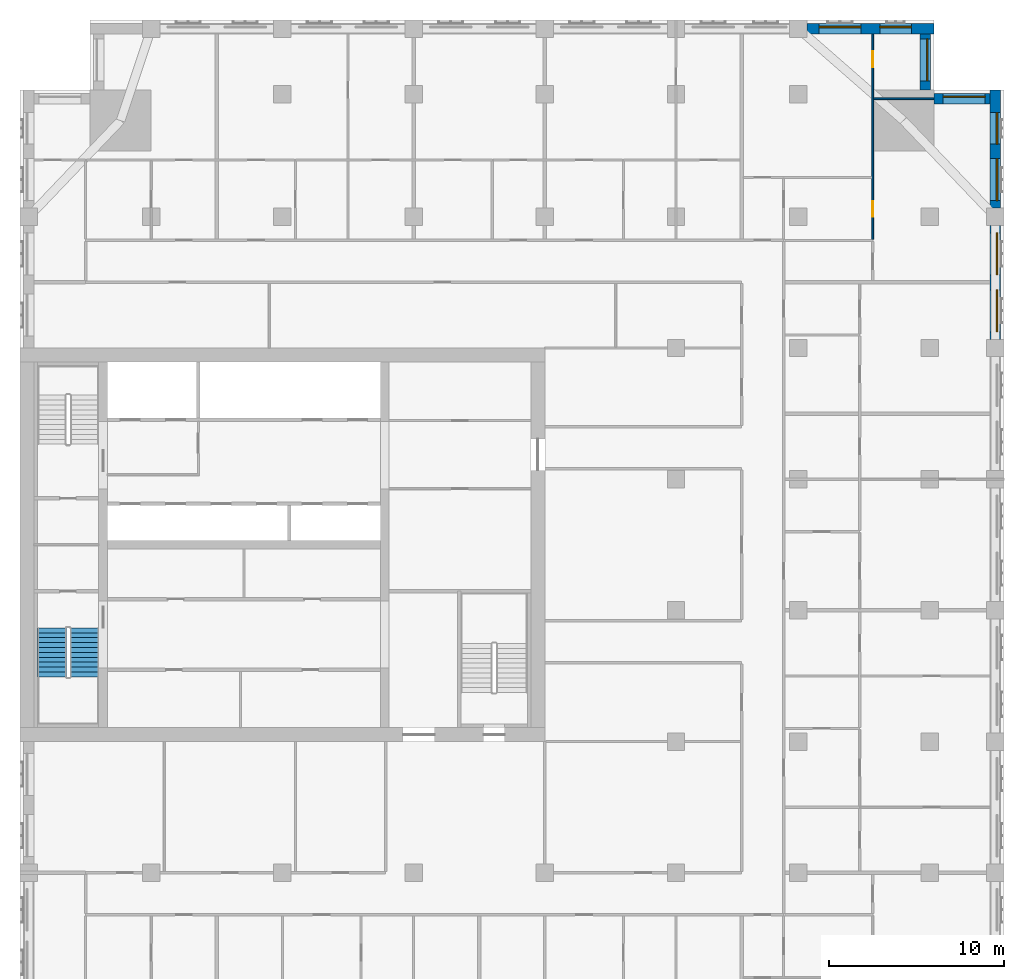
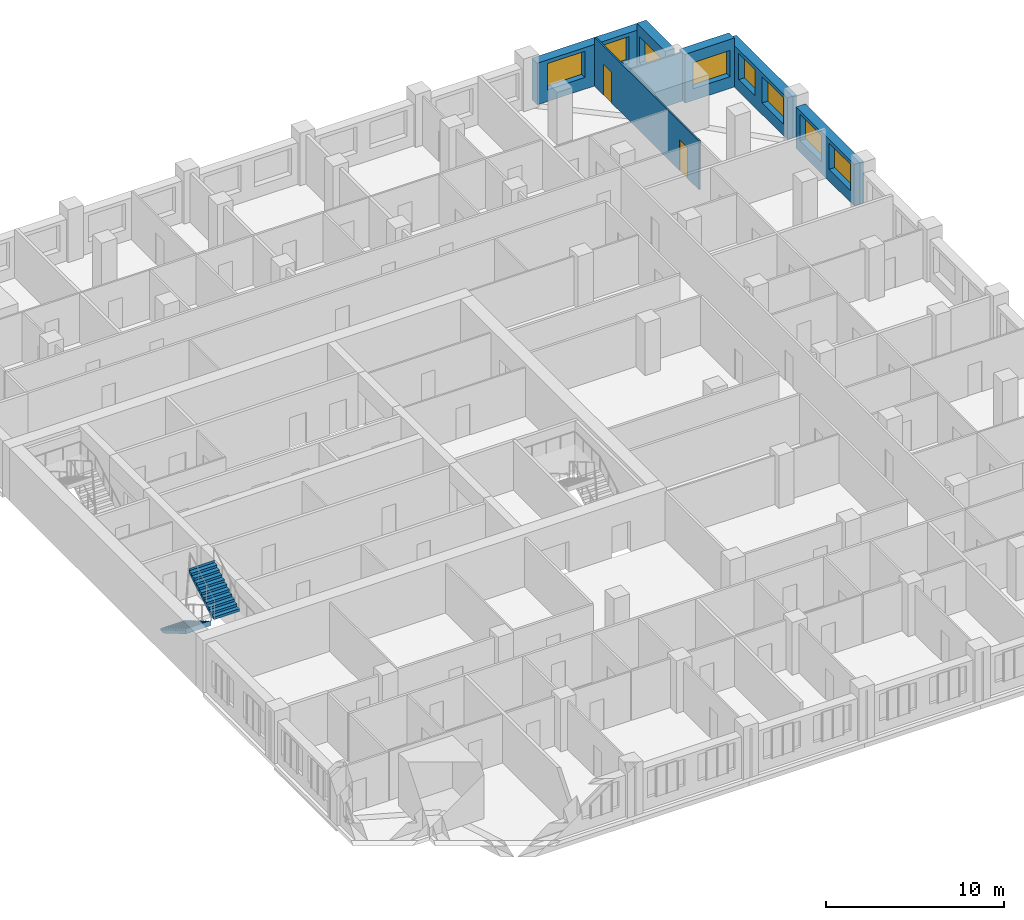
# One storey, part 11 of 13: 8 windows, 7 walls, 2 doors, 2 stair flights, 10 openings, 1 element without a shape of its own.
"""IFC4 building model written with IfcOpenShell, lengths in metres."""

from ifc_helpers import new_model, si_unit, direction, frame, frame_2d, origin, place, context, subcontext, project, spatial, polyline, rectangle, outline, extrude, material, layer, layer_set, type_object, element, fill, aggregate, save


model = new_model("IFC4")

# Units and contexts
model_context = context("Model", 3, precision=1e-05, world=origin(), true_north=direction((0.0, 1.0)))
body_context = subcontext(model_context, "Body", "Model", "MODEL_VIEW")
ifc_project = project(units=[si_unit("LENGTHUNIT", "METRE"), si_unit("AREAUNIT", "SQUARE_METRE"), si_unit("VOLUMEUNIT", "CUBIC_METRE"), si_unit("PLANEANGLEUNIT", "RADIAN"), si_unit("MASSUNIT", "GRAM", prefix="KILO")], contexts=[model_context])

# Site, building, storey
site_placement = place(None, origin())
site = spatial("IfcSite", under=ifc_project, at=site_placement, CompositionType="ELEMENT")
building_placement = place(site_placement, origin())
building = spatial("IfcBuilding", under=site, at=building_placement, Name="Tamorin Gate", CompositionType="ELEMENT")
storey_placement = place(building_placement, frame((0.0, 0.0, 144.60009765625)))
storey = spatial("IfcBuildingStorey", under=building, at=storey_placement, Name="L35", CompositionType="ELEMENT", Elevation=144.60009765625)

# Wall, openings, windows
ifc_material_1 = material(Name="Precast concrete C40/50", Category="concrete")
ifc_layer_1 = layer(ifc_material_1, 0.60009765625)
ifc_layer_set_1 = layer_set([ifc_layer_1], Name="Precast concrete C40/50")
wall_type_1 = type_object("IfcWallType", Name="Board-marked concrete facade panel 600", PredefinedType="SOLIDWALL", material=ifc_layer_set_1)
wall_1_placement = place(storey_placement, frame((85.75, 83.0, 0.0), z_axis=(0.0, 0.0, 1.0), x_axis=(0.0, 1.0, 0.0)))
wall_1 = element("IfcWall", 1, at=wall_1_placement, inside=storey, type_object=wall_type_1, Name="Facade panel", PredefinedType="SOLIDWALL", context=body_context, shape_type="SweptSolid", body=[
    extrude(rectangle(XDim=6.5, YDim=0.60009765625, at=frame_2d((3.25, 0.0))), origin(), (0.0, 0.0, 1.0), 2.849853515625),
])
opening_1_placement = place(wall_1_placement, frame((0.425048828125, 0.0, 0.800048828125)))
opening_1 = element("IfcOpeningElement", 2, at=opening_1_placement, cuts=wall_1, Name="Opening WN1", PredefinedType="OPENING", context=body_context, shape_type="SweptSolid", body=[
    extrude(rectangle(XDim=2.39990234375, YDim=1.800048828125, at=frame_2d((1.199951171875, 0.89990234375))), frame((0.0, 0.31005859375, 0.0), z_axis=(0.0, -1.0, 0.0), x_axis=(1.0, 0.0, 0.0)), (0.0, 0.0, 1.0), 0.6201171875),
])
opening_2_placement = place(wall_1_placement, frame((3.675048828125, 0.0, 0.800048828125)))
opening_2 = element("IfcOpeningElement", 3, at=opening_2_placement, cuts=wall_1, Name="Opening WN1", PredefinedType="OPENING", context=body_context, shape_type="SweptSolid", body=[
    extrude(rectangle(XDim=2.39990234375, YDim=1.800048828125, at=frame_2d((1.199951171875, 0.89990234375))), frame((0.0, 0.31005859375, 0.0), z_axis=(0.0, -1.0, 0.0), x_axis=(1.0, 0.0, 0.0)), (0.0, 0.0, 1.0), 0.6201171875),
])
ifc_material_2 = material(Name="Clear glass in aluminium frame", Category="aluminium")
window_type_1 = type_object("IfcWindowType", Name="Deep-set window 2400x1800", PartitioningType="SINGLE_PANEL", PredefinedType="WINDOW", material=ifc_material_2)
window_1_placement = place(opening_1_placement, origin())
window_1 = element("IfcWindow", 4, at=window_1_placement, inside=storey, type_object=window_type_1, Name="Deep-set window", OverallHeight=1.800048828125, OverallWidth=2.39990234375, PartitioningType="SINGLE_PANEL", PredefinedType="WINDOW", context=body_context, shape_type="SweptSolid", body=[
    extrude(rectangle(XDim=2.39990234375, YDim=1.800048828125, at=frame_2d((1.199951171875, 0.89990234375))), frame((0.0, -0.070068359375, 0.0), z_axis=(0.0, -1.0, 0.0), x_axis=(1.0, 0.0, 0.0)), (0.0, 0.0, 1.0), 0.06005859375),
])
fill(opening_1, window_1)
window_2_placement = place(opening_2_placement, origin())
window_2 = element("IfcWindow", 5, at=window_2_placement, inside=storey, type_object=window_type_1, Name="Deep-set window", OverallHeight=1.800048828125, OverallWidth=2.39990234375, PartitioningType="SINGLE_PANEL", PredefinedType="WINDOW", context=body_context, shape_type="SweptSolid", body=[
    extrude(rectangle(XDim=2.39990234375, YDim=1.800048828125, at=frame_2d((1.199951171875, 0.89990234375))), frame((0.0, -0.070068359375, 0.0), z_axis=(0.0, -1.0, 0.0), x_axis=(1.0, 0.0, 0.0)), (0.0, 0.0, 1.0), 0.06005859375),
])
fill(opening_2, window_2)

wall_2_placement = place(storey_placement, frame((85.75, 90.5, 0.0), z_axis=(0.0, 0.0, 1.0), x_axis=(0.0, 1.0, 0.0)))
wall_2 = element("IfcWall", 6, at=wall_2_placement, inside=storey, type_object=wall_type_1, Name="Facade panel", PredefinedType="SOLIDWALL", context=body_context, shape_type="SweptSolid", body=[
    extrude(rectangle(XDim=6.75, YDim=0.60009765625, at=frame_2d((3.375, 0.0))), origin(), (0.0, 0.0, 1.0), 2.849853515625),
])
opening_3_placement = place(wall_2_placement, frame((0.425048828125, 0.0, 0.800048828125)))
opening_3 = element("IfcOpeningElement", 7, at=opening_3_placement, cuts=wall_2, Name="Opening WN1", PredefinedType="OPENING", context=body_context, shape_type="SweptSolid", body=[
    extrude(rectangle(XDim=2.39990234375, YDim=1.800048828125, at=frame_2d((1.199951171875, 0.89990234375))), frame((0.0, 0.31005859375, 0.0), z_axis=(0.0, -1.0, 0.0), x_axis=(1.0, 0.0, 0.0)), (0.0, 0.0, 1.0), 0.6201171875),
])
opening_4_placement = place(wall_2_placement, frame((3.64990234375, 0.0, 0.800048828125)))
opening_4 = element("IfcOpeningElement", 8, at=opening_4_placement, cuts=wall_2, Name="Opening WN2", PredefinedType="OPENING", context=body_context, shape_type="SweptSolid", body=[
    extrude(rectangle(XDim=1.800048828125, YDim=1.800048828125, at=frame_2d((0.89990234375, 0.89990234375))), frame((0.0, 0.31005859375, 0.0), z_axis=(0.0, -1.0, 0.0), x_axis=(1.0, 0.0, 0.0)), (0.0, 0.0, 1.0), 0.6201171875),
])
window_type_2 = type_object("IfcWindowType", Name="Deep-set window 1800x1800", PartitioningType="SINGLE_PANEL", PredefinedType="WINDOW", material=ifc_material_2)
window_3_placement = place(opening_4_placement, origin())
window_3 = element("IfcWindow", 9, at=window_3_placement, inside=storey, type_object=window_type_2, Name="Deep-set window", OverallHeight=1.800048828125, OverallWidth=1.800048828125, PartitioningType="SINGLE_PANEL", PredefinedType="WINDOW", context=body_context, shape_type="SweptSolid", body=[
    extrude(rectangle(XDim=1.800048828125, YDim=1.800048828125, at=frame_2d((0.89990234375, 0.89990234375))), frame((0.0, -0.070068359375, 0.0), z_axis=(0.0, -1.0, 0.0), x_axis=(1.0, 0.0, 0.0)), (0.0, 0.0, 1.0), 0.06005859375),
])
fill(opening_4, window_3)
window_4_placement = place(opening_3_placement, origin())
window_4 = element("IfcWindow", 10, at=window_4_placement, inside=storey, type_object=window_type_1, Name="Deep-set window", OverallHeight=1.800048828125, OverallWidth=2.39990234375, PartitioningType="SINGLE_PANEL", PredefinedType="WINDOW", context=body_context, shape_type="SweptSolid", body=[
    extrude(rectangle(XDim=2.39990234375, YDim=1.800048828125, at=frame_2d((1.199951171875, 0.89990234375))), frame((0.0, -0.070068359375, 0.0), z_axis=(0.0, -1.0, 0.0), x_axis=(1.0, 0.0, 0.0)), (0.0, 0.0, 1.0), 0.06005859375),
])
fill(opening_3, window_4)

# Wall, opening, window
wall_3_placement = place(storey_placement, frame((85.449951171875, 96.75, 0.0), z_axis=(0.0, 0.0, 1.0), x_axis=(-1.0, 0.0, 0.0)))
wall_3 = element("IfcWall", 11, at=wall_3_placement, inside=storey, type_object=wall_type_1, Name="Facade panel", PredefinedType="SOLIDWALL", context=body_context, shape_type="SweptSolid", body=[
    extrude(rectangle(XDim=3.199951171875, YDim=0.60009765625, at=frame_2d((1.60009765625, 0.0))), origin(), (0.0, 0.0, 1.0), 3.349853515625),
])
opening_5_placement = place(wall_3_placement, frame((0.27490234375, 0.0, 0.800048828125)))
opening_5 = element("IfcOpeningElement", 12, at=opening_5_placement, cuts=wall_3, Name="Opening WN1", PredefinedType="OPENING", context=body_context, shape_type="SweptSolid", body=[
    extrude(rectangle(XDim=2.39990234375, YDim=1.800048828125, at=frame_2d((1.199951171875, 0.89990234375))), frame((0.0, 0.31005859375, 0.0), z_axis=(0.0, -1.0, 0.0), x_axis=(1.0, 0.0, 0.0)), (0.0, 0.0, 1.0), 0.6201171875),
])
window_5_placement = place(opening_5_placement, origin())
window_5 = element("IfcWindow", 13, at=window_5_placement, inside=storey, type_object=window_type_1, Name="Deep-set window", OverallHeight=1.800048828125, OverallWidth=2.39990234375, PartitioningType="SINGLE_PANEL", PredefinedType="WINDOW", context=body_context, shape_type="SweptSolid", body=[
    extrude(rectangle(XDim=2.39990234375, YDim=1.800048828125, at=frame_2d((1.199951171875, 0.89990234375))), frame((0.0, -0.070068359375, 0.0), z_axis=(0.0, -1.0, 0.0), x_axis=(1.0, 0.0, 0.0)), (0.0, 0.0, 1.0), 0.06005859375),
])
fill(opening_5, window_5)

wall_4_placement = place(storey_placement, frame((81.75, 97.25, 0.0), z_axis=(0.0, 0.0, 1.0), x_axis=(0.0, 1.0, 0.0)))
wall_4 = element("IfcWall", 14, at=wall_4_placement, inside=storey, type_object=wall_type_1, Name="Facade panel", PredefinedType="SOLIDWALL", context=body_context, shape_type="SweptSolid", body=[
    extrude(rectangle(XDim=3.199951171875, YDim=0.60009765625, at=frame_2d((1.60009765625, 0.0))), origin(), (0.0, 0.0, 1.0), 3.349853515625),
])
opening_6_placement = place(wall_4_placement, frame((0.52490234375, 0.0, 0.800048828125)))
opening_6 = element("IfcOpeningElement", 15, at=opening_6_placement, cuts=wall_4, Name="Opening WN1", PredefinedType="OPENING", context=body_context, shape_type="SweptSolid", body=[
    extrude(rectangle(XDim=2.39990234375, YDim=1.800048828125, at=frame_2d((1.199951171875, 0.89990234375))), frame((0.0, 0.31005859375, 0.0), z_axis=(0.0, -1.0, 0.0), x_axis=(1.0, 0.0, 0.0)), (0.0, 0.0, 1.0), 0.6201171875),
])
window_6_placement = place(opening_6_placement, origin())
window_6 = element("IfcWindow", 16, at=window_6_placement, inside=storey, type_object=window_type_1, Name="Deep-set window", OverallHeight=1.800048828125, OverallWidth=2.39990234375, PartitioningType="SINGLE_PANEL", PredefinedType="WINDOW", context=body_context, shape_type="SweptSolid", body=[
    extrude(rectangle(XDim=2.39990234375, YDim=1.800048828125, at=frame_2d((1.199951171875, 0.89990234375))), frame((0.0, -0.070068359375, 0.0), z_axis=(0.0, -1.0, 0.0), x_axis=(1.0, 0.0, 0.0)), (0.0, 0.0, 1.0), 0.06005859375),
])
fill(opening_6, window_6)

# Wall, openings, windows
wall_5_placement = place(storey_placement, frame((82.25, 100.75, 0.0), z_axis=(0.0, 0.0, 1.0), x_axis=(-1.0, 0.0, 0.0)))
wall_5 = element("IfcWall", 17, at=wall_5_placement, inside=storey, type_object=wall_type_1, Name="Facade panel", PredefinedType="SOLIDWALL", context=body_context, shape_type="SweptSolid", body=[
    extrude(rectangle(XDim=7.25, YDim=0.60009765625, at=frame_2d((3.625, 0.0))), origin(), (0.0, 0.0, 1.0), 2.849853515625),
])
opening_7_placement = place(wall_5_placement, frame((4.175048828125, 0.0, 0.800048828125)))
opening_7 = element("IfcOpeningElement", 18, at=opening_7_placement, cuts=wall_5, Name="Opening WN1", PredefinedType="OPENING", context=body_context, shape_type="SweptSolid", body=[
    extrude(rectangle(XDim=2.39990234375, YDim=1.800048828125, at=frame_2d((1.199951171875, 0.89990234375))), frame((0.0, 0.31005859375, 0.0), z_axis=(0.0, -1.0, 0.0), x_axis=(1.0, 0.0, 0.0)), (0.0, 0.0, 1.0), 0.6201171875),
])
opening_8_placement = place(wall_5_placement, frame((1.300048828125, 0.0, 0.800048828125)))
opening_8 = element("IfcOpeningElement", 19, at=opening_8_placement, cuts=wall_5, Name="Opening WN2", PredefinedType="OPENING", context=body_context, shape_type="SweptSolid", body=[
    extrude(rectangle(XDim=1.800048828125, YDim=1.800048828125, at=frame_2d((0.89990234375, 0.89990234375))), frame((0.0, 0.31005859375, 0.0), z_axis=(0.0, -1.0, 0.0), x_axis=(1.0, 0.0, 0.0)), (0.0, 0.0, 1.0), 0.6201171875),
])
window_7_placement = place(opening_8_placement, origin())
window_7 = element("IfcWindow", 20, at=window_7_placement, inside=storey, type_object=window_type_2, Name="Deep-set window", OverallHeight=1.800048828125, OverallWidth=1.800048828125, PartitioningType="SINGLE_PANEL", PredefinedType="WINDOW", context=body_context, shape_type="SweptSolid", body=[
    extrude(rectangle(XDim=1.800048828125, YDim=1.800048828125, at=frame_2d((0.89990234375, 0.89990234375))), frame((0.0, -0.070068359375, 0.0), z_axis=(0.0, -1.0, 0.0), x_axis=(1.0, 0.0, 0.0)), (0.0, 0.0, 1.0), 0.06005859375),
])
fill(opening_8, window_7)
window_8_placement = place(opening_7_placement, origin())
window_8 = element("IfcWindow", 21, at=window_8_placement, inside=storey, type_object=window_type_1, Name="Deep-set window", OverallHeight=1.800048828125, OverallWidth=2.39990234375, PartitioningType="SINGLE_PANEL", PredefinedType="WINDOW", context=body_context, shape_type="SweptSolid", body=[
    extrude(rectangle(XDim=2.39990234375, YDim=1.800048828125, at=frame_2d((1.199951171875, 0.89990234375))), frame((0.0, -0.070068359375, 0.0), z_axis=(0.0, -1.0, 0.0), x_axis=(1.0, 0.0, 0.0)), (0.0, 0.0, 1.0), 0.06005859375),
])
fill(opening_7, window_8)

# Wall
ifc_material_3 = material(Name="Gypsum board partition")
ifc_layer_2 = layer(ifc_material_3, 0.10009765625)
ifc_layer_set_2 = layer_set([ifc_layer_2], Name="Room partition 100")
wall_type_2 = type_object("IfcWallType", Name="Room partition 100", PredefinedType="PARTITIONING", material=ifc_layer_set_2)
wall_6_placement = place(storey_placement, frame((78.800048828125, 96.75, 0.0), z_axis=(0.0, 0.0, 1.0), x_axis=(1.0, 0.0, 0.0)))
element("IfcWall", 22, at=wall_6_placement, inside=storey, type_object=wall_type_2, Name="Room partition 100", PredefinedType="PARTITIONING", context=body_context, shape_type="SweptSolid", body=[
    extrude(rectangle(XDim=3.43994140625, YDim=0.10009765625, at=frame_2d((1.719970703125, 0.0))), origin(), (0.0, 0.0, 1.0), 3.349853515625),
])

# Wall, openings, doors
wall_7_placement = place(storey_placement, frame((78.75, 88.71240234375, 0.0), z_axis=(0.0, 0.0, 1.0), x_axis=(0.0, 1.0, 0.0)))
wall_7 = element("IfcWall", 23, at=wall_7_placement, inside=storey, type_object=wall_type_2, Name="Room partition 100", PredefinedType="PARTITIONING", context=body_context, shape_type="SweptSolid", body=[
    extrude(rectangle(XDim=11.7275390625, YDim=0.10009765625, at=frame_2d((5.86376953125, 0.0))), origin(), (0.0, 0.0, 1.0), 3.349853515625),
])
opening_9_placement = place(wall_7_placement, frame((9.83740234375, 0.0, 0.0)))
opening_9 = element("IfcOpeningElement", 24, at=opening_9_placement, cuts=wall_7, Name="Opening DS1060", PredefinedType="OPENING", context=body_context, shape_type="SweptSolid", body=[
    extrude(rectangle(XDim=0.89990234375, YDim=2.10009765625, at=frame_2d((0.449951171875, 1.050048828125))), frame((0.0, 0.06005859375, 0.0), z_axis=(0.0, -1.0, 0.0), x_axis=(1.0, 0.0, 0.0)), (0.0, 0.0, 1.0), 0.1201171875),
])
opening_10_placement = place(wall_7_placement, frame((1.28759765625, 0.0, 0.0)))
opening_10 = element("IfcOpeningElement", 25, at=opening_10_placement, cuts=wall_7, Name="Opening DS1061", PredefinedType="OPENING", context=body_context, shape_type="SweptSolid", body=[
    extrude(rectangle(XDim=0.89990234375, YDim=2.10009765625, at=frame_2d((0.449951171875, 1.050048828125))), frame((0.0, 0.06005859375, 0.0), z_axis=(0.0, -1.0, 0.0), x_axis=(1.0, 0.0, 0.0)), (0.0, 0.0, 1.0), 0.1201171875),
])
ifc_material_4 = material(Name="Timber door leaf", Category="wood")
door_type = type_object("IfcDoorType", Name="Door 900 x 2100", OperationType="NOTDEFINED", PredefinedType="DOOR", material=ifc_material_4)
door_1_placement = place(opening_9_placement, origin())
door_1 = element("IfcDoor", 26, at=door_1_placement, inside=storey, type_object=door_type, Name="Door DS1060", OperationType="SINGLE_SWING_LEFT", OverallHeight=2.10009765625, OverallWidth=0.89990234375, PredefinedType="DOOR", context=body_context, shape_type="SweptSolid", body=[
    extrude(rectangle(XDim=0.89990234375, YDim=2.10009765625, at=frame_2d((0.449951171875, 1.050048828125))), frame((0.0, 0.02490234375, 0.0), z_axis=(0.0, -1.0, 0.0), x_axis=(1.0, 0.0, 0.0)), (0.0, 0.0, 1.0), 0.050048828125),
])
fill(opening_9, door_1)
door_2_placement = place(opening_10_placement, origin())
door_2 = element("IfcDoor", 27, at=door_2_placement, inside=storey, type_object=door_type, Name="Door DS1061", OperationType="SINGLE_SWING_RIGHT", OverallHeight=2.10009765625, OverallWidth=0.89990234375, PredefinedType="DOOR", context=body_context, shape_type="SweptSolid", body=[
    extrude(rectangle(XDim=0.89990234375, YDim=2.10009765625, at=frame_2d((0.449951171875, 1.050048828125))), frame((0.0, 0.02490234375, 0.0), z_axis=(0.0, -1.0, 0.0), x_axis=(1.0, 0.0, 0.0)), (0.0, 0.0, 1.0), 0.050048828125),
])
fill(opening_10, door_2)

# Stair, stair flights
ifc_material_5 = material(Name="Concrete C40/50", Category="concrete")
stair_type = type_object("IfcStairType", Name="Exit stair", PredefinedType="HALF_TURN_STAIR", material=ifc_material_5)
stair_placement = place(storey_placement, origin())
stair = element("IfcStair", 28, at=stair_placement, inside=storey, type_object=stair_type, Name="L35 stair ST1", PredefinedType="HALF_TURN_STAIR")
stair_flight_type = type_object("IfcStairFlightType", Name="Exit stair flight", PredefinedType="STRAIGHT", material=ifc_material_5)
stair_flight_1_placement = place(storey_placement, frame((31.824951171875, 66.5, 0.0), z_axis=(0.0, 0.0, 1.0), x_axis=(0.0, -1.0, 0.0)))
stair_flight_1 = element("IfcStairFlight", 29, at=stair_flight_1_placement, type_object=stair_flight_type, Name="ST1 flight 1", NumberOfRisers=11, NumberOfTreads=10, PredefinedType="STRAIGHT", RiserHeight=0.163636364, TreadLength=0.28, context=body_context, shape_type="SweptSolid", body=[
    extrude(outline(polyline([(-0.00048828125, 0.0), (-0.00048828125, 0.001708984375), (-0.00048828125, 0.003173828125), (-0.00048828125, 0.0048828125), (-0.00048828125, 0.006591796875), (-0.00048828125, 0.008056640625), (-0.00048828125, 0.009765625), (-0.00048828125, 0.01123046875), (-0.00048828125, 0.012939453125), (-0.00048828125, 0.0146484375), (-0.00048828125, 0.01611328125), (-0.00048828125, 0.017822265625), (-0.00048828125, 0.01953125), (-0.00048828125, 0.02099609375), (-0.00048828125, 0.022705078125), (-0.00048828125, 0.0244140625), (-0.00048828125, 0.02587890625), (-0.00048828125, 0.027587890625), (-0.00048828125, 0.029052734375), (-0.00048828125, 0.03076171875), (-0.00048828125, 0.032470703125), (-0.00048828125, 0.033935546875), (-0.00048828125, 0.03564453125), (-0.00048828125, 0.037353515625), (-0.00048828125, 0.038818359375), (-0.00048828125, 0.04052734375), (-0.00048828125, 0.042236328125), (-0.00048828125, 0.043701171875), (-0.00048828125, 0.04541015625), (-0.00048828125, 0.046875), (-0.00048828125, 0.048583984375), (-0.00048828125, 0.05029296875), (-0.00048828125, 0.0517578125), (-0.00048828125, 0.053466796875), (-0.00048828125, 0.05517578125), (-0.00048828125, 0.056640625), (-0.00048828125, 0.058349609375), (-0.00048828125, 0.06005859375), (-0.00048828125, 0.0615234375), (-0.00048828125, 0.063232421875), (-0.00048828125, 0.064697265625), (-0.00048828125, 0.06640625), (-0.00048828125, 0.068115234375), (-0.00048828125, 0.069580078125), (-0.00048828125, 0.0712890625), (-0.00048828125, 0.072998046875), (-0.00048828125, 0.074462890625), (-0.00048828125, 0.076171875), (-0.00048828125, 0.077880859375), (-0.00048828125, 0.079345703125), (-0.00048828125, 0.0810546875), (-0.00048828125, 0.08251953125), (-0.00048828125, 0.084228515625), (-0.00048828125, 0.0859375), (-0.00048828125, 0.08740234375), (-0.00048828125, 0.089111328125), (-0.00048828125, 0.0908203125), (-0.00048828125, 0.09228515625), (-0.00048828125, 0.093994140625), (-0.00048828125, 0.095703125), (-0.00048828125, 0.09716796875), (-0.00048828125, 0.098876953125), (-0.00048828125, 0.100341796875), (-0.00048828125, 0.10205078125), (-0.00048828125, 0.103759765625), (-0.00048828125, 0.105224609375), (-0.00048828125, 0.10693359375), (-0.00048828125, 0.108642578125), (-0.00048828125, 0.110107421875), (-0.00048828125, 0.11181640625), (-0.00048828125, 0.113525390625), (-0.00048828125, 0.114990234375), (-0.00048828125, 0.11669921875), (-0.00048828125, 0.1181640625), (-0.00048828125, 0.119873046875), (-0.00048828125, 0.12158203125), (-0.00048828125, 0.123046875), (-0.00048828125, 0.124755859375), (-0.00048828125, 0.12646484375), (-0.00048828125, 0.1279296875), (-0.00048828125, 0.129638671875), (-0.00048828125, 0.13134765625), (-0.00048828125, 0.1328125), (-0.00048828125, 0.134521484375), (-0.00048828125, 0.135986328125), (-0.00048828125, 0.1376953125), (-0.00048828125, 0.139404296875), (-0.00048828125, 0.140869140625), (-0.00048828125, 0.142578125), (-0.00048828125, 0.144287109375), (-0.00048828125, 0.145751953125), (-0.00048828125, 0.1474609375), (-0.00048828125, 0.149169921875), (-0.00048828125, 0.150634765625), (-0.00048828125, 0.15234375), (-0.00048828125, 0.15380859375), (-0.00048828125, 0.155517578125), (-0.00048828125, 0.1572265625), (-0.00048828125, 0.15869140625), (-0.00048828125, 0.160400390625), (-0.00048828125, 0.162109375), (-0.00048828125, 0.16357421875), (0.280029296875, 0.16357421875), (0.280029296875, 0.327392578125), (0.56005859375, 0.327392578125), (0.56005859375, 0.490966796875), (0.840087890625, 0.490966796875), (0.840087890625, 0.654541015625), (1.1201171875, 0.654541015625), (1.1201171875, 0.818115234375), (1.39990234375, 0.818115234375), (1.39990234375, 0.98193359375), (1.679931640625, 0.98193359375), (1.679931640625, 1.1455078125), (1.9599609375, 1.1455078125), (1.9599609375, 1.30908203125), (2.239990234375, 1.30908203125), (2.239990234375, 1.47265625), (2.52001953125, 1.47265625), (2.52001953125, 1.636474609375), (2.800048828125, 1.636474609375), (2.800048828125, 1.800048828125), (2.800537109375, 1.800048828125), (2.800537109375, 1.796630859375), (2.800537109375, 1.793212890625), (2.800537109375, 1.7900390625), (2.800537109375, 1.78662109375), (2.800537109375, 1.783203125), (2.800537109375, 1.780029296875), (2.800537109375, 1.776611328125), (2.800537109375, 1.773193359375), (2.800537109375, 1.77001953125), (2.800537109375, 1.7666015625), (2.800537109375, 1.76318359375), (2.800537109375, 1.760009765625), (2.800537109375, 1.756591796875), (2.800537109375, 1.753173828125), (2.800537109375, 1.75), (2.800537109375, 1.74658203125), (2.800537109375, 1.7431640625), (2.800537109375, 1.739990234375), (2.800537109375, 1.736572265625), (2.800537109375, 1.733154296875), (2.800537109375, 1.72998046875), (2.800537109375, 1.7265625), (2.800537109375, 1.72314453125), (2.800537109375, 1.719970703125), (2.800537109375, 1.716552734375), (2.800537109375, 1.713134765625), (2.800537109375, 1.7099609375), (2.800537109375, 1.70654296875), (2.800537109375, 1.703125), (2.800537109375, 1.69970703125), (2.800537109375, 1.696533203125), (2.800537109375, 1.693115234375), (2.800537109375, 1.689697265625), (2.800537109375, 1.6865234375), (2.800537109375, 1.68310546875), (2.800537109375, 1.6796875), (2.800537109375, 1.676513671875), (2.800537109375, 1.673095703125), (2.800537109375, 1.669677734375), (2.800537109375, 1.66650390625), (2.800537109375, 1.6630859375), (2.800537109375, 1.65966796875), (2.800537109375, 1.656494140625), (2.800537109375, 1.653076171875), (2.800537109375, 1.649658203125), (2.800537109375, 1.646484375), (2.800537109375, 1.64306640625), (2.800537109375, 1.6396484375), (2.800537109375, 1.636474609375), (2.800537109375, 1.633056640625), (2.800537109375, 1.629638671875), (2.800537109375, 1.62646484375), (2.800537109375, 1.623046875), (2.800537109375, 1.61962890625), (2.800537109375, 1.616455078125), (2.800537109375, 1.613037109375), (2.800537109375, 1.609619140625), (2.800537109375, 1.6064453125), (2.800537109375, 1.60302734375), (2.800537109375, 1.599609375), (2.800537109375, 1.59619140625), (2.800537109375, 1.593017578125), (2.800537109375, 1.589599609375), (2.800537109375, 1.586181640625), (2.800537109375, 1.5830078125), (2.800537109375, 1.57958984375), (2.800537109375, 1.576171875), (2.800537109375, 1.572998046875), (2.800537109375, 1.569580078125), (2.800537109375, 1.566162109375), (2.800537109375, 1.56298828125), (2.800537109375, 1.5595703125), (2.800537109375, 1.55615234375), (2.800537109375, 1.552978515625), (2.800537109375, 1.549560546875), (2.800537109375, 1.546142578125), (2.800537109375, 1.54296875), (2.800537109375, 1.53955078125), (2.800537109375, 1.5361328125), (2.800537109375, 1.532958984375), (2.800537109375, 1.529541015625), (2.800537109375, 1.526123046875), (2.800537109375, 1.52294921875), (2.800537109375, 1.51953125), (2.800537109375, 1.51611328125), (2.800537109375, 1.512939453125), (2.800537109375, 1.509521484375), (2.800537109375, 1.506103515625), (2.800537109375, 1.5029296875), (2.800537109375, 1.49951171875), (2.800537109375, 1.49609375), (2.800537109375, 1.49267578125), (2.800537109375, 1.489501953125), (2.800537109375, 1.486083984375), (2.800537109375, 1.482666015625), (2.800537109375, 1.4794921875), (2.800537109375, 1.47607421875), (2.800537109375, 1.47265625), (2.800537109375, 1.469482421875), (2.800537109375, 1.466064453125), (2.800537109375, 1.462646484375), (2.800048828125, 1.462646484375), (0.297119140625, 0.0), (-0.00048828125, 0.0)])), frame((0.0, 0.824951171875, 0.0), z_axis=(0.0, -1.0, 0.0), x_axis=(1.0, 0.0, 0.0)), (0.0, 0.0, 1.0), 1.64990234375),
])
stair_flight_2_placement = place(storey_placement, frame((33.675048828125, 63.699951171875, 1.7998046875), z_axis=(0.0, 0.0, 1.0), x_axis=(0.0, 1.0, 0.0)))
stair_flight_2 = element("IfcStairFlight", 30, at=stair_flight_2_placement, type_object=stair_flight_type, Name="ST1 flight 2", NumberOfRisers=11, NumberOfTreads=10, PredefinedType="STRAIGHT", RiserHeight=0.163636364, TreadLength=0.28, context=body_context, shape_type="SweptSolid", body=[
    extrude(outline(polyline([(-0.00048828125, 0.0), (-0.00048828125, 0.001708984375), (-0.00048828125, 0.003173828125), (-0.00048828125, 0.0048828125), (-0.00048828125, 0.006591796875), (-0.00048828125, 0.008056640625), (-0.00048828125, 0.009765625), (-0.00048828125, 0.01123046875), (-0.00048828125, 0.012939453125), (-0.00048828125, 0.0146484375), (-0.00048828125, 0.01611328125), (-0.00048828125, 0.017822265625), (-0.00048828125, 0.01953125), (-0.00048828125, 0.02099609375), (-0.00048828125, 0.022705078125), (-0.00048828125, 0.0244140625), (-0.00048828125, 0.02587890625), (-0.00048828125, 0.027587890625), (-0.00048828125, 0.029052734375), (-0.00048828125, 0.03076171875), (-0.00048828125, 0.032470703125), (-0.00048828125, 0.033935546875), (-0.00048828125, 0.03564453125), (-0.00048828125, 0.037353515625), (-0.00048828125, 0.038818359375), (-0.00048828125, 0.04052734375), (-0.00048828125, 0.042236328125), (-0.00048828125, 0.043701171875), (-0.00048828125, 0.04541015625), (-0.00048828125, 0.046875), (-0.00048828125, 0.048583984375), (-0.00048828125, 0.05029296875), (-0.00048828125, 0.0517578125), (-0.00048828125, 0.053466796875), (-0.00048828125, 0.05517578125), (-0.00048828125, 0.056640625), (-0.00048828125, 0.058349609375), (-0.00048828125, 0.06005859375), (-0.00048828125, 0.0615234375), (-0.00048828125, 0.063232421875), (-0.00048828125, 0.064697265625), (-0.00048828125, 0.06640625), (-0.00048828125, 0.068115234375), (-0.00048828125, 0.069580078125), (-0.00048828125, 0.0712890625), (-0.00048828125, 0.072998046875), (-0.00048828125, 0.074462890625), (-0.00048828125, 0.076171875), (-0.00048828125, 0.077880859375), (-0.00048828125, 0.079345703125), (-0.00048828125, 0.0810546875), (-0.00048828125, 0.08251953125), (-0.00048828125, 0.084228515625), (-0.00048828125, 0.0859375), (-0.00048828125, 0.08740234375), (-0.00048828125, 0.089111328125), (-0.00048828125, 0.0908203125), (-0.00048828125, 0.09228515625), (-0.00048828125, 0.093994140625), (-0.00048828125, 0.095703125), (-0.00048828125, 0.09716796875), (-0.00048828125, 0.098876953125), (-0.00048828125, 0.100341796875), (-0.00048828125, 0.10205078125), (-0.00048828125, 0.103759765625), (-0.00048828125, 0.105224609375), (-0.00048828125, 0.10693359375), (-0.00048828125, 0.108642578125), (-0.00048828125, 0.110107421875), (-0.00048828125, 0.11181640625), (-0.00048828125, 0.113525390625), (-0.00048828125, 0.114990234375), (-0.00048828125, 0.11669921875), (-0.00048828125, 0.1181640625), (-0.00048828125, 0.119873046875), (-0.00048828125, 0.12158203125), (-0.00048828125, 0.123046875), (-0.00048828125, 0.124755859375), (-0.00048828125, 0.12646484375), (-0.00048828125, 0.1279296875), (-0.00048828125, 0.129638671875), (-0.00048828125, 0.13134765625), (-0.00048828125, 0.1328125), (-0.00048828125, 0.134521484375), (-0.00048828125, 0.135986328125), (-0.00048828125, 0.1376953125), (-0.00048828125, 0.139404296875), (-0.00048828125, 0.140869140625), (-0.00048828125, 0.142578125), (-0.00048828125, 0.144287109375), (-0.00048828125, 0.145751953125), (-0.00048828125, 0.1474609375), (-0.00048828125, 0.149169921875), (-0.00048828125, 0.150634765625), (-0.00048828125, 0.15234375), (-0.00048828125, 0.15380859375), (-0.00048828125, 0.155517578125), (-0.00048828125, 0.1572265625), (-0.00048828125, 0.15869140625), (-0.00048828125, 0.160400390625), (-0.00048828125, 0.162109375), (-0.00048828125, 0.16357421875), (0.280029296875, 0.16357421875), (0.280029296875, 0.327392578125), (0.56005859375, 0.327392578125), (0.56005859375, 0.490966796875), (0.840087890625, 0.490966796875), (0.840087890625, 0.654541015625), (1.1201171875, 0.654541015625), (1.1201171875, 0.818115234375), (1.39990234375, 0.818115234375), (1.39990234375, 0.98193359375), (1.679931640625, 0.98193359375), (1.679931640625, 1.1455078125), (1.9599609375, 1.1455078125), (1.9599609375, 1.30908203125), (2.239990234375, 1.30908203125), (2.239990234375, 1.47265625), (2.52001953125, 1.47265625), (2.52001953125, 1.636474609375), (2.800048828125, 1.636474609375), (2.800048828125, 1.800048828125), (2.800537109375, 1.800048828125), (2.800537109375, 1.796630859375), (2.800537109375, 1.793212890625), (2.800537109375, 1.7900390625), (2.800537109375, 1.78662109375), (2.800537109375, 1.783203125), (2.800537109375, 1.780029296875), (2.800537109375, 1.776611328125), (2.800537109375, 1.773193359375), (2.800537109375, 1.77001953125), (2.800537109375, 1.7666015625), (2.800537109375, 1.76318359375), (2.800537109375, 1.760009765625), (2.800537109375, 1.756591796875), (2.800537109375, 1.753173828125), (2.800537109375, 1.75), (2.800537109375, 1.74658203125), (2.800537109375, 1.7431640625), (2.800537109375, 1.739990234375), (2.800537109375, 1.736572265625), (2.800537109375, 1.733154296875), (2.800537109375, 1.72998046875), (2.800537109375, 1.7265625), (2.800537109375, 1.72314453125), (2.800537109375, 1.719970703125), (2.800537109375, 1.716552734375), (2.800537109375, 1.713134765625), (2.800537109375, 1.7099609375), (2.800537109375, 1.70654296875), (2.800537109375, 1.703125), (2.800537109375, 1.69970703125), (2.800537109375, 1.696533203125), (2.800537109375, 1.693115234375), (2.800537109375, 1.689697265625), (2.800537109375, 1.6865234375), (2.800537109375, 1.68310546875), (2.800537109375, 1.6796875), (2.800537109375, 1.676513671875), (2.800537109375, 1.673095703125), (2.800537109375, 1.669677734375), (2.800537109375, 1.66650390625), (2.800537109375, 1.6630859375), (2.800537109375, 1.65966796875), (2.800537109375, 1.656494140625), (2.800537109375, 1.653076171875), (2.800537109375, 1.649658203125), (2.800537109375, 1.646484375), (2.800537109375, 1.64306640625), (2.800537109375, 1.6396484375), (2.800537109375, 1.636474609375), (2.800537109375, 1.633056640625), (2.800537109375, 1.629638671875), (2.800537109375, 1.62646484375), (2.800537109375, 1.623046875), (2.800537109375, 1.61962890625), (2.800537109375, 1.616455078125), (2.800537109375, 1.613037109375), (2.800537109375, 1.609619140625), (2.800537109375, 1.6064453125), (2.800537109375, 1.60302734375), (2.800537109375, 1.599609375), (2.800537109375, 1.59619140625), (2.800537109375, 1.593017578125), (2.800537109375, 1.589599609375), (2.800537109375, 1.586181640625), (2.800537109375, 1.5830078125), (2.800537109375, 1.57958984375), (2.800537109375, 1.576171875), (2.800537109375, 1.572998046875), (2.800537109375, 1.569580078125), (2.800537109375, 1.566162109375), (2.800537109375, 1.56298828125), (2.800537109375, 1.5595703125), (2.800537109375, 1.55615234375), (2.800537109375, 1.552978515625), (2.800537109375, 1.549560546875), (2.800537109375, 1.546142578125), (2.800537109375, 1.54296875), (2.800537109375, 1.53955078125), (2.800537109375, 1.5361328125), (2.800537109375, 1.532958984375), (2.800537109375, 1.529541015625), (2.800537109375, 1.526123046875), (2.800537109375, 1.52294921875), (2.800537109375, 1.51953125), (2.800537109375, 1.51611328125), (2.800537109375, 1.512939453125), (2.800537109375, 1.509521484375), (2.800537109375, 1.506103515625), (2.800537109375, 1.5029296875), (2.800537109375, 1.49951171875), (2.800537109375, 1.49609375), (2.800537109375, 1.49267578125), (2.800537109375, 1.489501953125), (2.800537109375, 1.486083984375), (2.800537109375, 1.482666015625), (2.800537109375, 1.4794921875), (2.800537109375, 1.47607421875), (2.800537109375, 1.47265625), (2.800537109375, 1.469482421875), (2.800537109375, 1.466064453125), (2.800537109375, 1.462646484375), (2.800048828125, 1.462646484375), (0.297119140625, 0.0), (-0.00048828125, 0.0)])), frame((0.0, 0.824951171875, 0.0), z_axis=(0.0, -1.0, 0.0), x_axis=(1.0, 0.0, 0.0)), (0.0, 0.0, 1.0), 1.64990234375),
])
aggregate(stair, [stair_flight_1, stair_flight_2])

save(model, "model.ifc")
